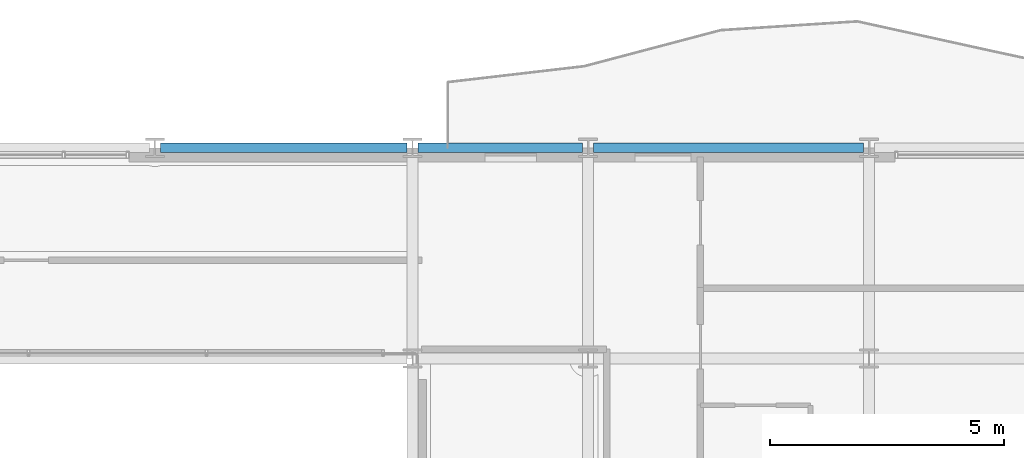
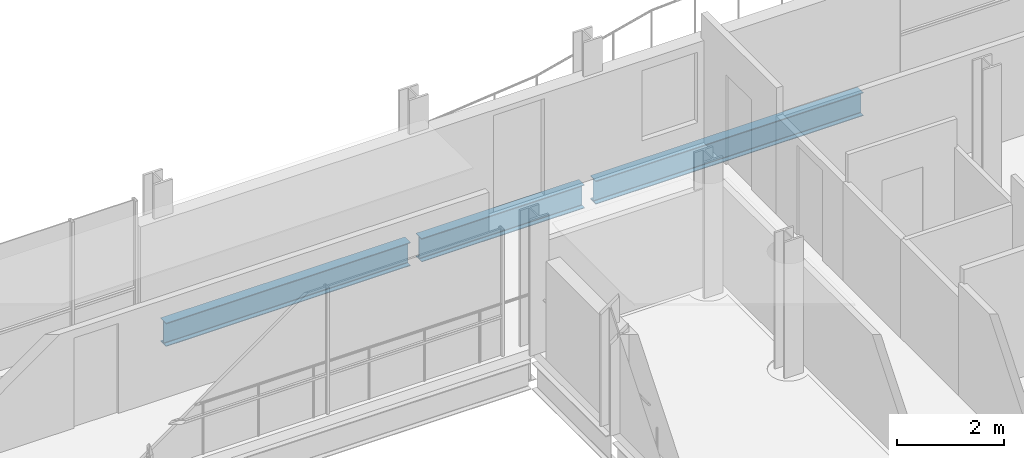
# One storey, part 25 of 41: 3 beams.
"""IFC4 building model written with IfcOpenShell, lengths in metres."""

from ifc_helpers import new_model, si_unit, direction, frame, origin, origin_2d, place, context, subcontext, project, spatial, i_section, extrude, material, material_profile, profile_set, type_object, element, save


model = new_model("IFC4")

# Units and contexts
model_context = context("Model", 3, precision=1e-05, world=origin(), true_north=direction((0.0, 1.0)))
body_context = subcontext(model_context, "Body", "Model", "MODEL_VIEW")
ifc_project = project(units=[si_unit("LENGTHUNIT", "METRE"), si_unit("AREAUNIT", "SQUARE_METRE"), si_unit("VOLUMEUNIT", "CUBIC_METRE"), si_unit("PLANEANGLEUNIT", "RADIAN"), si_unit("MASSUNIT", "GRAM", prefix="KILO")], contexts=[model_context])

# Site, building, storey
site_placement = place(None, origin())
site = spatial("IfcSite", under=ifc_project, at=site_placement, CompositionType="ELEMENT")
building_placement = place(site_placement, origin())
building = spatial("IfcBuilding", under=site, at=building_placement, Name="Brevholm Reach", CompositionType="ELEMENT")
storey_placement = place(building_placement, frame((0.0, 0.0, 138.699951171875)))
storey = spatial("IfcBuildingStorey", under=building, at=storey_placement, Name="L41", CompositionType="ELEMENT", Elevation=138.699951171875)

# Beams
ifc_material = material(Name="Structural Steel S355J2", Category="steel")
ifc_material_profile = material_profile(ifc_material, i_section(OverallWidth=0.209228515625, OverallDepth=0.533203125, WebThickness=0.010009765625, FlangeThickness=0.015625, FilletRadius=0.0126953125, at=origin_2d()), Name="UKB 533x210x92")
ifc_profile_set = profile_set([ifc_material_profile], Name="Structural Steel S355J2")
beam_type = type_object("IfcBeamType", Name="BM-SP533", PredefinedType="SPANDREL", material=ifc_profile_set)
beam_1_placement = place(storey_placement, frame((32.8701171875, 31.0, -0.486572265625), z_axis=(1.0, 0.0, 0.0), x_axis=(0.0, 1.0, 0.0)))
element("IfcBeam", 1, at=beam_1_placement, inside=storey, type_object=beam_type, Name="L41 SP-02 Framing Beam", PredefinedType="SPANDREL", context=body_context, shape_type="SweptSolid", body=[
    extrude(i_section(OverallWidth=0.209228515625, OverallDepth=0.533203125, WebThickness=0.010009765625, FlangeThickness=0.015625, FilletRadius=0.0126953125, at=origin_2d()), origin(), (0.0, 0.0, 1.0), 5.259765625),
])
beam_2_placement = place(storey_placement, frame((38.3701171875, 31.0, -0.486572265625), z_axis=(1.0, 0.0, 0.0), x_axis=(0.0, 1.0, 0.0)))
element("IfcBeam", 2, at=beam_2_placement, inside=storey, type_object=beam_type, Name="L41 SP-02 Framing Beam", PredefinedType="SPANDREL", context=body_context, shape_type="SweptSolid", body=[
    extrude(i_section(OverallWidth=0.209228515625, OverallDepth=0.533203125, WebThickness=0.010009765625, FlangeThickness=0.015625, FilletRadius=0.0126953125, at=origin_2d()), origin(), (0.0, 0.0, 1.0), 3.509765625),
])
beam_3_placement = place(storey_placement, frame((42.1201171875, 31.0, -0.486572265625), z_axis=(1.0, 0.0, 0.0), x_axis=(0.0, 1.0, 0.0)))
element("IfcBeam", 3, at=beam_3_placement, inside=storey, type_object=beam_type, Name="L41 SP-02 Framing Beam", PredefinedType="SPANDREL", context=body_context, shape_type="SweptSolid", body=[
    extrude(i_section(OverallWidth=0.209228515625, OverallDepth=0.533203125, WebThickness=0.010009765625, FlangeThickness=0.015625, FilletRadius=0.0126953125, at=origin_2d()), origin(), (0.0, 0.0, 1.0), 5.759765625),
])

save(model, "model.ifc")
